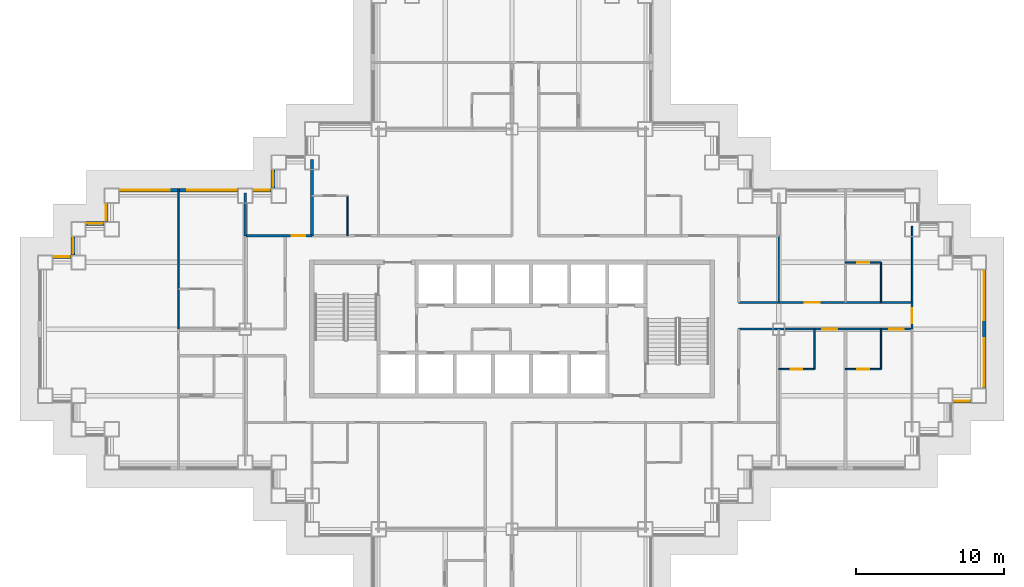
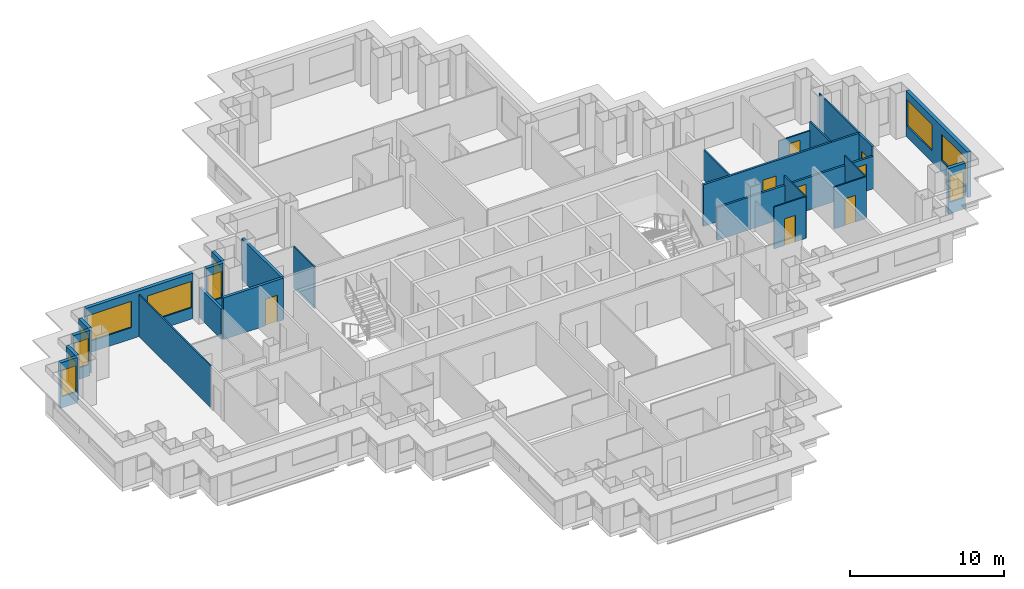
# One storey, part 7 of 14: 25 walls, 11 windows, 8 doors, 19 openings.
"""IFC4 building model written with IfcOpenShell, lengths in metres."""

from ifc_helpers import new_model, si_unit, direction, frame, frame_2d, origin, place, context, subcontext, project, spatial, rectangle, extrude, material, layer, layer_set, type_object, element, fill, save


model = new_model("IFC4")

# Units and contexts
model_context = context("Model", 3, precision=1e-05, world=origin(), true_north=direction((0.0, 1.0)))
body_context = subcontext(model_context, "Body", "Model", "MODEL_VIEW")
ifc_project = project(units=[si_unit("LENGTHUNIT", "METRE"), si_unit("AREAUNIT", "SQUARE_METRE"), si_unit("VOLUMEUNIT", "CUBIC_METRE"), si_unit("PLANEANGLEUNIT", "RADIAN"), si_unit("MASSUNIT", "GRAM", prefix="KILO")], contexts=[model_context])

# Site, building, storey
site_placement = place(None, origin())
site = spatial("IfcSite", under=ifc_project, at=site_placement, CompositionType="ELEMENT")
building_placement = place(site_placement, origin())
building = spatial("IfcBuilding", under=site, at=building_placement, Name="Caravel Reach Hotel and Residences", CompositionType="ELEMENT")
storey_placement = place(building_placement, frame((0.0, 0.0, 56.39990234375)))
storey = spatial("IfcBuildingStorey", under=building, at=storey_placement, Name="L12", CompositionType="ELEMENT", Elevation=56.39990234375)

# Wall, opening, door
ifc_material_1 = material(Name="Gypsum board on steel stud", Category="steel")
ifc_layer_1 = layer(ifc_material_1, 0.10009765625)
ifc_layer_set_1 = layer_set([ifc_layer_1], Name="Bathroom pod wall 100 mm")
wall_type_1 = type_object("IfcWallType", Name="Bathroom pod wall 100 mm", PredefinedType="PARTITIONING", material=ifc_layer_set_1)
wall_1_placement = place(storey_placement, frame((49.5, 24.300048828125, 0.0), z_axis=(0.0, 0.0, 1.0), x_axis=(1.0, 0.0, 0.0)))
wall_1 = element("IfcWall", 1, at=wall_1_placement, inside=storey, type_object=wall_type_1, Name="L12 wall w078", PredefinedType="PARTITIONING", context=body_context, shape_type="SweptSolid", body=[
    extrude(rectangle(XDim=2.39990234375, YDim=0.10009765625, at=frame_2d((1.199951171875, 0.0))), origin(), (0.0, 0.0, 1.0), 3.300048828125),
])
opening_1_placement = place(wall_1_placement, frame((0.800048828125, 0.0, 0.0)))
opening_1 = element("IfcOpeningElement", 2, at=opening_1_placement, cuts=wall_1, Name="Opening D12-020", PredefinedType="OPENING", context=body_context, shape_type="SweptSolid", body=[
    extrude(rectangle(XDim=0.800048828125, YDim=2.10009765625, at=frame_2d((0.39990234375, 1.050048828125))), frame((0.0, 0.06005859375, 0.0), z_axis=(0.0, -1.0, 0.0), x_axis=(1.0, 0.0, 0.0)), (0.0, 0.0, 1.0), 0.1201171875),
])
ifc_material_2 = material(Name="Timber and steel door leaf", Category="steel")
door_type_1 = type_object("IfcDoorType", Name="Bathroom door 800 x 2100", OperationType="SINGLE_SWING_LEFT", PredefinedType="DOOR", material=ifc_material_2)
door_1_placement = place(opening_1_placement, origin())
door_1 = element("IfcDoor", 3, at=door_1_placement, inside=storey, type_object=door_type_1, Name="door D12-020", OperationType="SINGLE_SWING_LEFT", OverallHeight=2.10009765625, OverallWidth=0.800048828125, PredefinedType="DOOR", context=body_context, shape_type="SweptSolid", body=[
    extrude(rectangle(XDim=0.800048828125, YDim=2.10009765625, at=frame_2d((0.39990234375, 1.050048828125))), frame((0.0, 0.02490234375, 0.0), z_axis=(0.0, -1.0, 0.0), x_axis=(1.0, 0.0, 0.0)), (0.0, 0.0, 1.0), 0.050048828125),
])
fill(opening_1, door_1)

wall_2_placement = place(storey_placement, frame((54.0, 24.300048828125, 0.0), z_axis=(0.0, 0.0, 1.0), x_axis=(1.0, 0.0, 0.0)))
wall_2 = element("IfcWall", 4, at=wall_2_placement, inside=storey, type_object=wall_type_1, Name="L12 wall w079", PredefinedType="PARTITIONING", context=body_context, shape_type="SweptSolid", body=[
    extrude(rectangle(XDim=2.39990234375, YDim=0.10009765625, at=frame_2d((1.199951171875, 0.0))), origin(), (0.0, 0.0, 1.0), 3.300048828125),
])
opening_2_placement = place(wall_2_placement, frame((0.800048828125, 0.0, 0.0)))
opening_2 = element("IfcOpeningElement", 5, at=opening_2_placement, cuts=wall_2, Name="Opening D12-022", PredefinedType="OPENING", context=body_context, shape_type="SweptSolid", body=[
    extrude(rectangle(XDim=0.800048828125, YDim=2.10009765625, at=frame_2d((0.39990234375, 1.050048828125))), frame((0.0, 0.06005859375, 0.0), z_axis=(0.0, -1.0, 0.0), x_axis=(1.0, 0.0, 0.0)), (0.0, 0.0, 1.0), 0.1201171875),
])
door_2_placement = place(opening_2_placement, origin())
door_2 = element("IfcDoor", 6, at=door_2_placement, inside=storey, type_object=door_type_1, Name="door D12-022", OperationType="SINGLE_SWING_RIGHT", OverallHeight=2.10009765625, OverallWidth=0.800048828125, PredefinedType="DOOR", context=body_context, shape_type="SweptSolid", body=[
    extrude(rectangle(XDim=0.800048828125, YDim=2.10009765625, at=frame_2d((0.39990234375, 1.050048828125))), frame((0.0, 0.02490234375, 0.0), z_axis=(0.0, -1.0, 0.0), x_axis=(1.0, 0.0, 0.0)), (0.0, 0.0, 1.0), 0.050048828125),
])
fill(opening_2, door_2)

wall_3_placement = place(storey_placement, frame((54.0, 31.5, 0.0), z_axis=(0.0, 0.0, 1.0), x_axis=(1.0, 0.0, 0.0)))
wall_3 = element("IfcWall", 7, at=wall_3_placement, inside=storey, type_object=wall_type_1, Name="L12 wall w081", PredefinedType="PARTITIONING", context=body_context, shape_type="SweptSolid", body=[
    extrude(rectangle(XDim=2.39990234375, YDim=0.10009765625, at=frame_2d((1.199951171875, 0.0))), origin(), (0.0, 0.0, 1.0), 2.580078125),
])
opening_3_placement = place(wall_3_placement, frame((0.800048828125, 0.0, 0.0)))
opening_3 = element("IfcOpeningElement", 8, at=opening_3_placement, cuts=wall_3, Name="Opening D12-025", PredefinedType="OPENING", context=body_context, shape_type="SweptSolid", body=[
    extrude(rectangle(XDim=0.800048828125, YDim=2.10009765625, at=frame_2d((0.39990234375, 1.050048828125))), frame((0.0, 0.06005859375, 0.0), z_axis=(0.0, -1.0, 0.0), x_axis=(1.0, 0.0, 0.0)), (0.0, 0.0, 1.0), 0.1201171875),
])
door_3_placement = place(opening_3_placement, origin())
door_3 = element("IfcDoor", 9, at=door_3_placement, inside=storey, type_object=door_type_1, Name="door D12-025", OperationType="SINGLE_SWING_RIGHT", OverallHeight=2.10009765625, OverallWidth=0.800048828125, PredefinedType="DOOR", context=body_context, shape_type="SweptSolid", body=[
    extrude(rectangle(XDim=0.800048828125, YDim=2.10009765625, at=frame_2d((0.39990234375, 1.050048828125))), frame((0.0, 0.02490234375, 0.0), z_axis=(0.0, -1.0, 0.0), x_axis=(1.0, 0.0, 0.0)), (0.0, 0.0, 1.0), 0.050048828125),
])
fill(opening_3, door_3)

# Walls
for number, where, z_axis, x_axis, name in (
    (10, (20.39990234375, 33.300048828125, 0.0), (0.0, 0.0, 1.0), (0.0, 1.0, 0.0), "L12 wall w090"),
    (11, (51.89990234375, 24.300048828125, 0.0), (0.0, 0.0, 1.0), (0.0, 1.0, 0.0), "L12 wall w099"),
    (12, (56.39990234375, 24.300048828125, 0.0), (0.0, 0.0, 1.0), (0.0, 1.0, 0.0), "L12 wall w100"),
    (13, (56.39990234375, 28.800048828125, 0.0), (0.0, 0.0, 1.0), (0.0, 1.0, 0.0), "L12 wall w101"),
):
    element("IfcWall", number, at=place(storey_placement, frame(where, z_axis=z_axis, x_axis=x_axis)), inside=storey, type_object=wall_type_1, Name=name, PredefinedType="PARTITIONING", context=body_context, shape_type="SweptSolid", body=[
        extrude(rectangle(XDim=2.699951171875, YDim=0.10009765625, at=frame_2d((1.35009765625, 0.0))), origin(), (0.0, 0.0, 1.0), 3.300048828125),
    ])

# Wall, opening, door
ifc_material_3 = material(Name="Autoclaved aerated block wall")
ifc_layer_2 = layer(ifc_material_3, 0.199951171875)
ifc_layer_set_2 = layer_set([ifc_layer_2], Name="Compartment wall 200 mm EI 120")
wall_type_2 = type_object("IfcWallType", Name="Compartment wall 200 mm EI 120", PredefinedType="PARTITIONING", material=ifc_layer_set_2)
wall_4_placement = place(storey_placement, frame((13.5, 33.300048828125, 0.0), z_axis=(0.0, 0.0, 1.0), x_axis=(1.0, 0.0, 0.0)))
wall_4 = element("IfcWall", 14, at=wall_4_placement, inside=storey, type_object=wall_type_2, Name="L12 wall w103", PredefinedType="PARTITIONING", context=body_context, shape_type="SweptSolid", body=[
    extrude(rectangle(XDim=4.5, YDim=0.199951171875, at=frame_2d((2.25, 0.0))), origin(), (0.0, 0.0, 1.0), 3.300048828125),
])
opening_4_placement = place(wall_4_placement, frame((3.14990234375, 0.0, 0.0)))
opening_4 = element("IfcOpeningElement", 15, at=opening_4_placement, cuts=wall_4, Name="Opening D12-043", PredefinedType="OPENING", context=body_context, shape_type="SweptSolid", body=[
    extrude(rectangle(XDim=0.89990234375, YDim=2.10009765625, at=frame_2d((0.449951171875, 1.050048828125))), frame((0.0, 0.10986328125, 0.0), z_axis=(0.0, -1.0, 0.0), x_axis=(1.0, 0.0, 0.0)), (0.0, 0.0, 1.0), 0.219970703125),
])
ifc_material_4 = material(Name="Steel fire door leaf", Category="steel")
door_type_2 = type_object("IfcDoorType", Name="Riser door 900 x 2100 EI 60", OperationType="SINGLE_SWING_LEFT", PredefinedType="DOOR", material=ifc_material_4)
door_4_placement = place(opening_4_placement, origin())
door_4 = element("IfcDoor", 16, at=door_4_placement, inside=storey, type_object=door_type_2, Name="door D12-043", OperationType="SINGLE_SWING_LEFT", OverallHeight=2.10009765625, OverallWidth=0.89990234375, PredefinedType="DOOR", context=body_context, shape_type="SweptSolid", body=[
    extrude(rectangle(XDim=0.89990234375, YDim=2.10009765625, at=frame_2d((0.449951171875, 1.050048828125))), frame((0.0, 0.02490234375, 0.0), z_axis=(0.0, -1.0, 0.0), x_axis=(1.0, 0.0, 0.0)), (0.0, 0.0, 1.0), 0.050048828125),
])
fill(opening_4, door_4)

# Walls
wall_5_placement = place(storey_placement, frame((13.5, 33.300048828125, 0.0), z_axis=(0.0, 0.0, 1.0), x_axis=(0.0, 1.0, 0.0)))
element("IfcWall", 17, at=wall_5_placement, inside=storey, type_object=wall_type_2, Name="L12 wall w104", PredefinedType="PARTITIONING", context=body_context, shape_type="SweptSolid", body=[
    extrude(rectangle(XDim=2.889892578125, YDim=0.199951171875, at=frame_2d((1.44482421875, 0.0))), origin(), (0.0, 0.0, 1.0), 2.380126953125),
])
wall_6_placement = place(storey_placement, frame((18.0, 33.300048828125, 0.0), z_axis=(0.0, 0.0, 1.0), x_axis=(0.0, 1.0, 0.0)))
element("IfcWall", 18, at=wall_6_placement, inside=storey, type_object=wall_type_2, Name="L12 wall w105", PredefinedType="PARTITIONING", context=body_context, shape_type="SweptSolid", body=[
    extrude(rectangle(XDim=5.139892578125, YDim=0.199951171875, at=frame_2d((2.56982421875, 0.0))), origin(), (0.0, 0.0, 1.0), 3.300048828125),
])

# Wall, openings, doors
ifc_material_5 = material(Name="Gypsum board on steel stud, fire-rated", Category="steel")
ifc_layer_3 = layer(ifc_material_5, 0.14990234375)
ifc_layer_set_3 = layer_set([ifc_layer_3], Name="Corridor wall 150 mm EI 60")
wall_type_3 = type_object("IfcWallType", Name="Corridor wall 150 mm EI 60", PredefinedType="PARTITIONING", material=ifc_layer_set_3)
wall_7_placement = place(storey_placement, frame((46.800048828125, 27.0, 0.0), z_axis=(0.0, 0.0, 1.0), x_axis=(1.0, 0.0, 0.0)))
wall_7 = element("IfcWall", 19, at=wall_7_placement, inside=storey, type_object=wall_type_3, Name="L12 wall w013", PredefinedType="PARTITIONING", context=body_context, shape_type="SweptSolid", body=[
    extrude(rectangle(XDim=11.699951171875, YDim=0.14990234375, at=frame_2d((5.85009765625, 0.0))), origin(), (0.0, 0.0, 1.0), 2.580078125),
])
opening_5_placement = place(wall_7_placement, frame((5.64990234375, 0.0, 0.0)))
opening_5 = element("IfcOpeningElement", 20, at=opening_5_placement, cuts=wall_7, Name="Opening D12-019", PredefinedType="OPENING", context=body_context, shape_type="SweptSolid", body=[
    extrude(rectangle(XDim=1.0, YDim=2.10009765625, at=frame_2d((0.5, 1.050048828125))), frame((0.0, 0.0849609375, 0.0), z_axis=(0.0, -1.0, 0.0), x_axis=(1.0, 0.0, 0.0)), (0.0, 0.0, 1.0), 0.169921875),
])
opening_6_placement = place(wall_7_placement, frame((10.14990234375, 0.0, 0.0)))
opening_6 = element("IfcOpeningElement", 21, at=opening_6_placement, cuts=wall_7, Name="Opening D12-021", PredefinedType="OPENING", context=body_context, shape_type="SweptSolid", body=[
    extrude(rectangle(XDim=1.0, YDim=2.10009765625, at=frame_2d((0.5, 1.050048828125))), frame((0.0, 0.0849609375, 0.0), z_axis=(0.0, -1.0, 0.0), x_axis=(1.0, 0.0, 0.0)), (0.0, 0.0, 1.0), 0.169921875),
])
ifc_material_6 = material(Name="Steel fire door leaf", Category="steel")
door_type_3 = type_object("IfcDoorType", Name="Guest room door 1000 x 2100 EI 30", OperationType="SINGLE_SWING_LEFT", PredefinedType="DOOR", material=ifc_material_6)
door_5_placement = place(opening_5_placement, origin())
door_5 = element("IfcDoor", 22, at=door_5_placement, inside=storey, type_object=door_type_3, Name="door D12-019", OperationType="SINGLE_SWING_RIGHT", OverallHeight=2.10009765625, OverallWidth=1.0, PredefinedType="DOOR", context=body_context, shape_type="SweptSolid", body=[
    extrude(rectangle(XDim=1.0, YDim=2.10009765625, at=frame_2d((0.5, 1.050048828125))), frame((0.0, 0.02490234375, 0.0), z_axis=(0.0, -1.0, 0.0), x_axis=(1.0, 0.0, 0.0)), (0.0, 0.0, 1.0), 0.050048828125),
])
fill(opening_5, door_5)
door_6_placement = place(opening_6_placement, origin())
door_6 = element("IfcDoor", 23, at=door_6_placement, inside=storey, type_object=door_type_3, Name="door D12-021", OperationType="SINGLE_SWING_RIGHT", OverallHeight=2.10009765625, OverallWidth=1.0, PredefinedType="DOOR", context=body_context, shape_type="SweptSolid", body=[
    extrude(rectangle(XDim=1.0, YDim=2.10009765625, at=frame_2d((0.5, 1.050048828125))), frame((0.0, 0.02490234375, 0.0), z_axis=(0.0, -1.0, 0.0), x_axis=(1.0, 0.0, 0.0)), (0.0, 0.0, 1.0), 0.050048828125),
])
fill(opening_6, door_6)

# Wall, opening, door
wall_8_placement = place(storey_placement, frame((46.800048828125, 28.800048828125, 0.0), z_axis=(0.0, 0.0, 1.0), x_axis=(1.0, 0.0, 0.0)))
wall_8 = element("IfcWall", 24, at=wall_8_placement, inside=storey, type_object=wall_type_3, Name="L12 wall w015", PredefinedType="PARTITIONING", context=body_context, shape_type="SweptSolid", body=[
    extrude(rectangle(XDim=11.699951171875, YDim=0.14990234375, at=frame_2d((5.85009765625, 0.0))), origin(), (0.0, 0.0, 1.0), 3.300048828125),
])
opening_7_placement = place(wall_8_placement, frame((4.449951171875, 0.0, 0.0)))
opening_7 = element("IfcOpeningElement", 25, at=opening_7_placement, cuts=wall_8, Name="Opening D12-023", PredefinedType="OPENING", context=body_context, shape_type="SweptSolid", body=[
    extrude(rectangle(XDim=1.0, YDim=2.10009765625, at=frame_2d((0.5, 1.050048828125))), frame((0.0, 0.0849609375, 0.0), z_axis=(0.0, -1.0, 0.0), x_axis=(1.0, 0.0, 0.0)), (0.0, 0.0, 1.0), 0.169921875),
])
door_7_placement = place(opening_7_placement, origin())
door_7 = element("IfcDoor", 26, at=door_7_placement, inside=storey, type_object=door_type_3, Name="door D12-023", OperationType="SINGLE_SWING_RIGHT", OverallHeight=2.10009765625, OverallWidth=1.0, PredefinedType="DOOR", context=body_context, shape_type="SweptSolid", body=[
    extrude(rectangle(XDim=1.0, YDim=2.10009765625, at=frame_2d((0.5, 1.050048828125))), frame((0.0, 0.02490234375, 0.0), z_axis=(0.0, -1.0, 0.0), x_axis=(1.0, 0.0, 0.0)), (0.0, 0.0, 1.0), 0.050048828125),
])
fill(opening_7, door_7)

wall_9_placement = place(storey_placement, frame((58.5, 27.0, 0.0), z_axis=(0.0, 0.0, 1.0), x_axis=(0.0, 1.0, 0.0)))
wall_9 = element("IfcWall", 27, at=wall_9_placement, inside=storey, type_object=wall_type_3, Name="L12 wall w038", PredefinedType="PARTITIONING", context=body_context, shape_type="SweptSolid", body=[
    extrude(rectangle(XDim=1.800048828125, YDim=0.14990234375, at=frame_2d((0.89990234375, 0.0))), origin(), (0.0, 0.0, 1.0), 3.300048828125),
])
opening_8_placement = place(wall_9_placement, frame((0.39990234375, 0.0, 0.0)))
opening_8 = element("IfcOpeningElement", 28, at=opening_8_placement, cuts=wall_9, Name="Opening D12-038", PredefinedType="OPENING", context=body_context, shape_type="SweptSolid", body=[
    extrude(rectangle(XDim=1.0, YDim=2.10009765625, at=frame_2d((0.5, 1.050048828125))), frame((0.0, 0.0849609375, 0.0), z_axis=(0.0, -1.0, 0.0), x_axis=(1.0, 0.0, 0.0)), (0.0, 0.0, 1.0), 0.169921875),
])
door_8_placement = place(opening_8_placement, origin())
door_8 = element("IfcDoor", 29, at=door_8_placement, inside=storey, type_object=door_type_3, Name="door D12-038", OperationType="SINGLE_SWING_RIGHT", OverallHeight=2.10009765625, OverallWidth=1.0, PredefinedType="DOOR", context=body_context, shape_type="SweptSolid", body=[
    extrude(rectangle(XDim=1.0, YDim=2.10009765625, at=frame_2d((0.5, 1.050048828125))), frame((0.0, 0.02490234375, 0.0), z_axis=(0.0, -1.0, 0.0), x_axis=(1.0, 0.0, 0.0)), (0.0, 0.0, 1.0), 0.050048828125),
])
fill(opening_8, door_8)

# Wall, opening, window
ifc_material_7 = material(Name="Insulated rainscreen wall, aluminium cladding", Category="aluminium")
ifc_layer_4 = layer(ifc_material_7, 0.25)
ifc_layer_set_4 = layer_set([ifc_layer_4], Name="EW1 Tower rainscreen wall")
wall_type_4 = type_object("IfcWallType", Name="EW1 Tower rainscreen wall", PredefinedType="SOLIDWALL", material=ifc_layer_set_4)
wall_10_placement = place(storey_placement, frame((61.25, 22.125, 0.0), z_axis=(0.0, 0.0, 1.0), x_axis=(1.0, 0.0, 0.0)))
wall_10 = element("IfcWall", 30, at=wall_10_placement, inside=storey, type_object=wall_type_4, Name="External wall L12 S19.1", PredefinedType="SOLIDWALL", context=body_context, shape_type="SweptSolid", body=[
    extrude(rectangle(XDim=1.25, YDim=0.25, at=frame_2d((0.625, 0.0))), origin(), (0.0, 0.0, 1.0), 3.60009765625),
])
opening_9_placement = place(wall_10_placement, frame((0.10009765625, 0.0, 0.89990234375)))
opening_9 = element("IfcOpeningElement", 31, at=opening_9_placement, cuts=wall_10, Name="Opening WN3", PredefinedType="OPENING", context=body_context, shape_type="SweptSolid", body=[
    extrude(rectangle(XDim=1.050048828125, YDim=2.080078125, at=frame_2d((0.52490234375, 1.0400390625))), frame((0.0, 0.135009765625, 0.0), z_axis=(0.0, -1.0, 0.0), x_axis=(1.0, 0.0, 0.0)), (0.0, 0.0, 1.0), 0.27001953125),
])
ifc_material_8 = material(Name="Dark low-e glazing in black aluminium frame", Category="aluminium")
window_type_1 = type_object("IfcWindowType", Name="Hotel suite corner window 1050 x 2080", PartitioningType="SINGLE_PANEL", PredefinedType="WINDOW", material=ifc_material_8)
window_1_placement = place(opening_9_placement, origin())
window_1 = element("IfcWindow", 32, at=window_1_placement, inside=storey, type_object=window_type_1, Name="Window L12 S19.1.1", OverallHeight=2.080078125, OverallWidth=1.050048828125, PartitioningType="SINGLE_PANEL", PredefinedType="WINDOW", context=body_context, shape_type="SweptSolid", body=[
    extrude(rectangle(XDim=1.050048828125, YDim=2.080078125, at=frame_2d((0.52490234375, 1.0400390625))), frame((0.0, 0.030029296875, 0.0), z_axis=(0.0, -1.0, 0.0), x_axis=(1.0, 0.0, 0.0)), (0.0, 0.0, 1.0), 0.06005859375),
])
fill(opening_9, window_1)

# Wall, openings, windows
wall_11_placement = place(storey_placement, frame((63.375, 23.0, 0.0), z_axis=(0.0, 0.0, 1.0), x_axis=(0.0, 1.0, 0.0)))
wall_11 = element("IfcWall", 33, at=wall_11_placement, inside=storey, type_object=wall_type_4, Name="External wall L12 E20.1", PredefinedType="SOLIDWALL", context=body_context, shape_type="SweptSolid", body=[
    extrude(rectangle(XDim=8.0, YDim=0.25, at=frame_2d((4.0, 0.0))), origin(), (0.0, 0.0, 1.0), 3.60009765625),
])
opening_10_placement = place(wall_11_placement, frame((0.10009765625, 0.0, 0.89990234375)))
opening_10 = element("IfcOpeningElement", 34, at=opening_10_placement, cuts=wall_11, Name="Opening WN4", PredefinedType="OPENING", context=body_context, shape_type="SweptSolid", body=[
    extrude(rectangle(XDim=3.300048828125, YDim=2.080078125, at=frame_2d((1.64990234375, 1.0400390625))), frame((0.0, 0.135009765625, 0.0), z_axis=(0.0, -1.0, 0.0), x_axis=(1.0, 0.0, 0.0)), (0.0, 0.0, 1.0), 0.27001953125),
])
opening_11_placement = place(wall_11_placement, frame((4.60009765625, 0.0, 0.89990234375)))
opening_11 = element("IfcOpeningElement", 35, at=opening_11_placement, cuts=wall_11, Name="Opening WN4", PredefinedType="OPENING", context=body_context, shape_type="SweptSolid", body=[
    extrude(rectangle(XDim=3.300048828125, YDim=2.080078125, at=frame_2d((1.64990234375, 1.0400390625))), frame((0.0, 0.135009765625, 0.0), z_axis=(0.0, -1.0, 0.0), x_axis=(1.0, 0.0, 0.0)), (0.0, 0.0, 1.0), 0.27001953125),
])
ifc_material_9 = material(Name="Dark low-e glazing in black aluminium frame", Category="aluminium")
window_type_2 = type_object("IfcWindowType", Name="Hotel guest room window 3300 x 2080", PartitioningType="SINGLE_PANEL", PredefinedType="WINDOW", material=ifc_material_9)
window_2_placement = place(opening_10_placement, origin())
window_2 = element("IfcWindow", 36, at=window_2_placement, inside=storey, type_object=window_type_2, Name="Window L12 E20.1.1", OverallHeight=2.080078125, OverallWidth=3.300048828125, PartitioningType="SINGLE_PANEL", PredefinedType="WINDOW", context=body_context, shape_type="SweptSolid", body=[
    extrude(rectangle(XDim=3.300048828125, YDim=2.080078125, at=frame_2d((1.64990234375, 1.0400390625))), frame((0.0, 0.030029296875, 0.0), z_axis=(0.0, -1.0, 0.0), x_axis=(1.0, 0.0, 0.0)), (0.0, 0.0, 1.0), 0.06005859375),
])
fill(opening_10, window_2)
window_3_placement = place(opening_11_placement, origin())
window_3 = element("IfcWindow", 37, at=window_3_placement, inside=storey, type_object=window_type_2, Name="Window L12 E20.1.2", OverallHeight=2.080078125, OverallWidth=3.300048828125, PartitioningType="SINGLE_PANEL", PredefinedType="WINDOW", context=body_context, shape_type="SweptSolid", body=[
    extrude(rectangle(XDim=3.300048828125, YDim=2.080078125, at=frame_2d((1.64990234375, 1.0400390625))), frame((0.0, 0.030029296875, 0.0), z_axis=(0.0, -1.0, 0.0), x_axis=(1.0, 0.0, 0.0)), (0.0, 0.0, 1.0), 0.06005859375),
])
fill(opening_11, window_3)

# Wall, opening, window
wall_12_placement = place(storey_placement, frame((15.375, 37.75, 0.0), z_axis=(0.0, 0.0, 1.0), x_axis=(0.0, -1.0, 0.0)))
wall_12 = element("IfcWall", 38, at=wall_12_placement, inside=storey, type_object=wall_type_4, Name="External wall L12 W44.1", PredefinedType="SOLIDWALL", context=body_context, shape_type="SweptSolid", body=[
    extrude(rectangle(XDim=1.25, YDim=0.25, at=frame_2d((0.625, 0.0))), origin(), (0.0, 0.0, 1.0), 3.60009765625),
])
opening_12_placement = place(wall_12_placement, frame((0.10009765625, 0.0, 0.89990234375)))
opening_12 = element("IfcOpeningElement", 39, at=opening_12_placement, cuts=wall_12, Name="Opening WN3", PredefinedType="OPENING", context=body_context, shape_type="SweptSolid", body=[
    extrude(rectangle(XDim=1.050048828125, YDim=2.080078125, at=frame_2d((0.52490234375, 1.0400390625))), frame((0.0, 0.135009765625, 0.0), z_axis=(0.0, -1.0, 0.0), x_axis=(1.0, 0.0, 0.0)), (0.0, 0.0, 1.0), 0.27001953125),
])
window_4_placement = place(opening_12_placement, origin())
window_4 = element("IfcWindow", 40, at=window_4_placement, inside=storey, type_object=window_type_1, Name="Window L12 W44.1.1", OverallHeight=2.080078125, OverallWidth=1.050048828125, PartitioningType="SINGLE_PANEL", PredefinedType="WINDOW", context=body_context, shape_type="SweptSolid", body=[
    extrude(rectangle(XDim=1.050048828125, YDim=2.080078125, at=frame_2d((0.52490234375, 1.0400390625))), frame((0.0, 0.030029296875, 0.0), z_axis=(0.0, -1.0, 0.0), x_axis=(1.0, 0.0, 0.0)), (0.0, 0.0, 1.0), 0.06005859375),
])
fill(opening_12, window_4)

wall_13_placement = place(storey_placement, frame((15.25, 36.375, 0.0), z_axis=(0.0, 0.0, 1.0), x_axis=(-1.0, 0.0, 0.0)))
wall_13 = element("IfcWall", 41, at=wall_13_placement, inside=storey, type_object=wall_type_4, Name="External wall L12 N45.1", PredefinedType="SOLIDWALL", context=body_context, shape_type="SweptSolid", body=[
    extrude(rectangle(XDim=1.25, YDim=0.25, at=frame_2d((0.625, 0.0))), origin(), (0.0, 0.0, 1.0), 3.60009765625),
])
opening_13_placement = place(wall_13_placement, frame((0.10009765625, 0.0, 0.89990234375)))
opening_13 = element("IfcOpeningElement", 42, at=opening_13_placement, cuts=wall_13, Name="Opening WN3", PredefinedType="OPENING", context=body_context, shape_type="SweptSolid", body=[
    extrude(rectangle(XDim=1.050048828125, YDim=2.080078125, at=frame_2d((0.52490234375, 1.0400390625))), frame((0.0, 0.135009765625, 0.0), z_axis=(0.0, -1.0, 0.0), x_axis=(1.0, 0.0, 0.0)), (0.0, 0.0, 1.0), 0.27001953125),
])
window_5_placement = place(opening_13_placement, origin())
window_5 = element("IfcWindow", 43, at=window_5_placement, inside=storey, type_object=window_type_1, Name="Window L12 N45.1.1", OverallHeight=2.080078125, OverallWidth=1.050048828125, PartitioningType="SINGLE_PANEL", PredefinedType="WINDOW", context=body_context, shape_type="SweptSolid", body=[
    extrude(rectangle(XDim=1.050048828125, YDim=2.080078125, at=frame_2d((0.52490234375, 1.0400390625))), frame((0.0, 0.030029296875, 0.0), z_axis=(0.0, -1.0, 0.0), x_axis=(1.0, 0.0, 0.0)), (0.0, 0.0, 1.0), 0.06005859375),
])
fill(opening_13, window_5)

# Wall, openings, windows
wall_14_placement = place(storey_placement, frame((13.0, 36.375, 0.0), z_axis=(0.0, 0.0, 1.0), x_axis=(-1.0, 0.0, 0.0)))
wall_14 = element("IfcWall", 44, at=wall_14_placement, inside=storey, type_object=wall_type_4, Name="External wall L12 N45.2", PredefinedType="SOLIDWALL", context=body_context, shape_type="SweptSolid", body=[
    extrude(rectangle(XDim=8.0, YDim=0.25, at=frame_2d((4.0, 0.0))), origin(), (0.0, 0.0, 1.0), 3.60009765625),
])
opening_14_placement = place(wall_14_placement, frame((0.10009765625, 0.0, 0.89990234375)))
opening_14 = element("IfcOpeningElement", 45, at=opening_14_placement, cuts=wall_14, Name="Opening WN4", PredefinedType="OPENING", context=body_context, shape_type="SweptSolid", body=[
    extrude(rectangle(XDim=3.300048828125, YDim=2.080078125, at=frame_2d((1.64990234375, 1.0400390625))), frame((0.0, 0.135009765625, 0.0), z_axis=(0.0, -1.0, 0.0), x_axis=(1.0, 0.0, 0.0)), (0.0, 0.0, 1.0), 0.27001953125),
])
opening_15_placement = place(wall_14_placement, frame((4.60009765625, 0.0, 0.89990234375)))
opening_15 = element("IfcOpeningElement", 46, at=opening_15_placement, cuts=wall_14, Name="Opening WN4", PredefinedType="OPENING", context=body_context, shape_type="SweptSolid", body=[
    extrude(rectangle(XDim=3.300048828125, YDim=2.080078125, at=frame_2d((1.64990234375, 1.0400390625))), frame((0.0, 0.135009765625, 0.0), z_axis=(0.0, -1.0, 0.0), x_axis=(1.0, 0.0, 0.0)), (0.0, 0.0, 1.0), 0.27001953125),
])
window_6_placement = place(opening_14_placement, origin())
window_6 = element("IfcWindow", 47, at=window_6_placement, inside=storey, type_object=window_type_2, Name="Window L12 N45.2.1", OverallHeight=2.080078125, OverallWidth=3.300048828125, PartitioningType="SINGLE_PANEL", PredefinedType="WINDOW", context=body_context, shape_type="SweptSolid", body=[
    extrude(rectangle(XDim=3.300048828125, YDim=2.080078125, at=frame_2d((1.64990234375, 1.0400390625))), frame((0.0, 0.030029296875, 0.0), z_axis=(0.0, -1.0, 0.0), x_axis=(1.0, 0.0, 0.0)), (0.0, 0.0, 1.0), 0.06005859375),
])
fill(opening_14, window_6)
window_7_placement = place(opening_15_placement, origin())
window_7 = element("IfcWindow", 48, at=window_7_placement, inside=storey, type_object=window_type_2, Name="Window L12 N45.2.2", OverallHeight=2.080078125, OverallWidth=3.300048828125, PartitioningType="SINGLE_PANEL", PredefinedType="WINDOW", context=body_context, shape_type="SweptSolid", body=[
    extrude(rectangle(XDim=3.300048828125, YDim=2.080078125, at=frame_2d((1.64990234375, 1.0400390625))), frame((0.0, 0.030029296875, 0.0), z_axis=(0.0, -1.0, 0.0), x_axis=(1.0, 0.0, 0.0)), (0.0, 0.0, 1.0), 0.06005859375),
])
fill(opening_15, window_7)

# Wall, opening, window
wall_15_placement = place(storey_placement, frame((4.125, 35.5, 0.0), z_axis=(0.0, 0.0, 1.0), x_axis=(0.0, -1.0, 0.0)))
wall_15 = element("IfcWall", 49, at=wall_15_placement, inside=storey, type_object=wall_type_4, Name="External wall L12 W46.1", PredefinedType="SOLIDWALL", context=body_context, shape_type="SweptSolid", body=[
    extrude(rectangle(XDim=1.25, YDim=0.25, at=frame_2d((0.625, 0.0))), origin(), (0.0, 0.0, 1.0), 3.60009765625),
])
opening_16_placement = place(wall_15_placement, frame((0.10009765625, 0.0, 0.89990234375)))
opening_16 = element("IfcOpeningElement", 50, at=opening_16_placement, cuts=wall_15, Name="Opening WN3", PredefinedType="OPENING", context=body_context, shape_type="SweptSolid", body=[
    extrude(rectangle(XDim=1.050048828125, YDim=2.080078125, at=frame_2d((0.52490234375, 1.0400390625))), frame((0.0, 0.135009765625, 0.0), z_axis=(0.0, -1.0, 0.0), x_axis=(1.0, 0.0, 0.0)), (0.0, 0.0, 1.0), 0.27001953125),
])
window_8_placement = place(opening_16_placement, origin())
window_8 = element("IfcWindow", 51, at=window_8_placement, inside=storey, type_object=window_type_1, Name="Window L12 W46.1.1", OverallHeight=2.080078125, OverallWidth=1.050048828125, PartitioningType="SINGLE_PANEL", PredefinedType="WINDOW", context=body_context, shape_type="SweptSolid", body=[
    extrude(rectangle(XDim=1.050048828125, YDim=2.080078125, at=frame_2d((0.52490234375, 1.0400390625))), frame((0.0, 0.030029296875, 0.0), z_axis=(0.0, -1.0, 0.0), x_axis=(1.0, 0.0, 0.0)), (0.0, 0.0, 1.0), 0.06005859375),
])
fill(opening_16, window_8)

wall_16_placement = place(storey_placement, frame((4.0, 34.125, 0.0), z_axis=(0.0, 0.0, 1.0), x_axis=(-1.0, 0.0, 0.0)))
wall_16 = element("IfcWall", 52, at=wall_16_placement, inside=storey, type_object=wall_type_4, Name="External wall L12 N47.1", PredefinedType="SOLIDWALL", context=body_context, shape_type="SweptSolid", body=[
    extrude(rectangle(XDim=1.25, YDim=0.25, at=frame_2d((0.625, 0.0))), origin(), (0.0, 0.0, 1.0), 3.60009765625),
])
opening_17_placement = place(wall_16_placement, frame((0.10009765625, 0.0, 0.89990234375)))
opening_17 = element("IfcOpeningElement", 53, at=opening_17_placement, cuts=wall_16, Name="Opening WN3", PredefinedType="OPENING", context=body_context, shape_type="SweptSolid", body=[
    extrude(rectangle(XDim=1.050048828125, YDim=2.080078125, at=frame_2d((0.52490234375, 1.0400390625))), frame((0.0, 0.135009765625, 0.0), z_axis=(0.0, -1.0, 0.0), x_axis=(1.0, 0.0, 0.0)), (0.0, 0.0, 1.0), 0.27001953125),
])
window_9_placement = place(opening_17_placement, origin())
window_9 = element("IfcWindow", 54, at=window_9_placement, inside=storey, type_object=window_type_1, Name="Window L12 N47.1.1", OverallHeight=2.080078125, OverallWidth=1.050048828125, PartitioningType="SINGLE_PANEL", PredefinedType="WINDOW", context=body_context, shape_type="SweptSolid", body=[
    extrude(rectangle(XDim=1.050048828125, YDim=2.080078125, at=frame_2d((0.52490234375, 1.0400390625))), frame((0.0, 0.030029296875, 0.0), z_axis=(0.0, -1.0, 0.0), x_axis=(1.0, 0.0, 0.0)), (0.0, 0.0, 1.0), 0.06005859375),
])
fill(opening_17, window_9)

wall_17_placement = place(storey_placement, frame((1.875, 33.25, 0.0), z_axis=(0.0, 0.0, 1.0), x_axis=(0.0, -1.0, 0.0)))
wall_17 = element("IfcWall", 55, at=wall_17_placement, inside=storey, type_object=wall_type_4, Name="External wall L12 W48.1", PredefinedType="SOLIDWALL", context=body_context, shape_type="SweptSolid", body=[
    extrude(rectangle(XDim=1.25, YDim=0.25, at=frame_2d((0.625, 0.0))), origin(), (0.0, 0.0, 1.0), 3.60009765625),
])
opening_18_placement = place(wall_17_placement, frame((0.10009765625, 0.0, 0.89990234375)))
opening_18 = element("IfcOpeningElement", 56, at=opening_18_placement, cuts=wall_17, Name="Opening WN3", PredefinedType="OPENING", context=body_context, shape_type="SweptSolid", body=[
    extrude(rectangle(XDim=1.050048828125, YDim=2.080078125, at=frame_2d((0.52490234375, 1.0400390625))), frame((0.0, 0.135009765625, 0.0), z_axis=(0.0, -1.0, 0.0), x_axis=(1.0, 0.0, 0.0)), (0.0, 0.0, 1.0), 0.27001953125),
])
window_10_placement = place(opening_18_placement, origin())
window_10 = element("IfcWindow", 57, at=window_10_placement, inside=storey, type_object=window_type_1, Name="Window L12 W48.1.1", OverallHeight=2.080078125, OverallWidth=1.050048828125, PartitioningType="SINGLE_PANEL", PredefinedType="WINDOW", context=body_context, shape_type="SweptSolid", body=[
    extrude(rectangle(XDim=1.050048828125, YDim=2.080078125, at=frame_2d((0.52490234375, 1.0400390625))), frame((0.0, 0.030029296875, 0.0), z_axis=(0.0, -1.0, 0.0), x_axis=(1.0, 0.0, 0.0)), (0.0, 0.0, 1.0), 0.06005859375),
])
fill(opening_18, window_10)

wall_18_placement = place(storey_placement, frame((1.75, 31.875, 0.0), z_axis=(0.0, 0.0, 1.0), x_axis=(-1.0, 0.0, 0.0)))
wall_18 = element("IfcWall", 58, at=wall_18_placement, inside=storey, type_object=wall_type_4, Name="External wall L12 N49.1", PredefinedType="SOLIDWALL", context=body_context, shape_type="SweptSolid", body=[
    extrude(rectangle(XDim=1.25, YDim=0.25, at=frame_2d((0.625, 0.0))), origin(), (0.0, 0.0, 1.0), 3.60009765625),
])
opening_19_placement = place(wall_18_placement, frame((0.10009765625, 0.0, 0.89990234375)))
opening_19 = element("IfcOpeningElement", 59, at=opening_19_placement, cuts=wall_18, Name="Opening WN3", PredefinedType="OPENING", context=body_context, shape_type="SweptSolid", body=[
    extrude(rectangle(XDim=1.050048828125, YDim=2.080078125, at=frame_2d((0.52490234375, 1.0400390625))), frame((0.0, 0.135009765625, 0.0), z_axis=(0.0, -1.0, 0.0), x_axis=(1.0, 0.0, 0.0)), (0.0, 0.0, 1.0), 0.27001953125),
])
window_11_placement = place(opening_19_placement, origin())
window_11 = element("IfcWindow", 60, at=window_11_placement, inside=storey, type_object=window_type_1, Name="Window L12 N49.1.1", OverallHeight=2.080078125, OverallWidth=1.050048828125, PartitioningType="SINGLE_PANEL", PredefinedType="WINDOW", context=body_context, shape_type="SweptSolid", body=[
    extrude(rectangle(XDim=1.050048828125, YDim=2.080078125, at=frame_2d((0.52490234375, 1.0400390625))), frame((0.0, 0.030029296875, 0.0), z_axis=(0.0, -1.0, 0.0), x_axis=(1.0, 0.0, 0.0)), (0.0, 0.0, 1.0), 0.06005859375),
])
fill(opening_19, window_11)

# Walls
ifc_material_10 = material(Name="Gypsum board on steel stud", Category="steel")
ifc_layer_5 = layer(ifc_material_10, 0.10009765625)
ifc_layer_set_5 = layer_set([ifc_layer_5], Name="Partition 100 mm")
wall_type_5 = type_object("IfcWallType", Name="Partition 100 mm", PredefinedType="PARTITIONING", material=ifc_layer_set_5)
wall_19_placement = place(storey_placement, frame((49.5, 28.800048828125, 0.0), z_axis=(0.0, 0.0, 1.0), x_axis=(0.0, 1.0, 0.0)))
element("IfcWall", 61, at=wall_19_placement, inside=storey, type_object=wall_type_5, Name="L12 wall w065", PredefinedType="PARTITIONING", context=body_context, shape_type="SweptSolid", body=[
    extrude(rectangle(XDim=4.5, YDim=0.10009765625, at=frame_2d((2.25, 0.0))), origin(), (0.0, 0.0, 1.0), 2.380126953125),
])
wall_20_placement = place(storey_placement, frame((58.5, 28.800048828125, 0.0), z_axis=(0.0, 0.0, 1.0), x_axis=(0.0, 1.0, 0.0)))
element("IfcWall", 62, at=wall_20_placement, inside=storey, type_object=wall_type_5, Name="L12 wall w068", PredefinedType="PARTITIONING", context=body_context, shape_type="SweptSolid", body=[
    extrude(rectangle(XDim=5.139892578125, YDim=0.10009765625, at=frame_2d((2.56982421875, 0.0))), origin(), (0.0, 0.0, 1.0), 3.300048828125),
])
wall_21_placement = place(storey_placement, frame((9.0, 27.0, 0.0), z_axis=(0.0, 0.0, 1.0), x_axis=(0.0, 1.0, 0.0)))
element("IfcWall", 63, at=wall_21_placement, inside=storey, type_object=wall_type_5, Name="L12 wall w069", PredefinedType="PARTITIONING", context=body_context, shape_type="SweptSolid", body=[
    extrude(rectangle(XDim=9.43994140625, YDim=0.10009765625, at=frame_2d((4.719970703125, 0.0))), origin(), (0.0, 0.0, 1.0), 3.300048828125),
])

save(model, "model.ifc")
